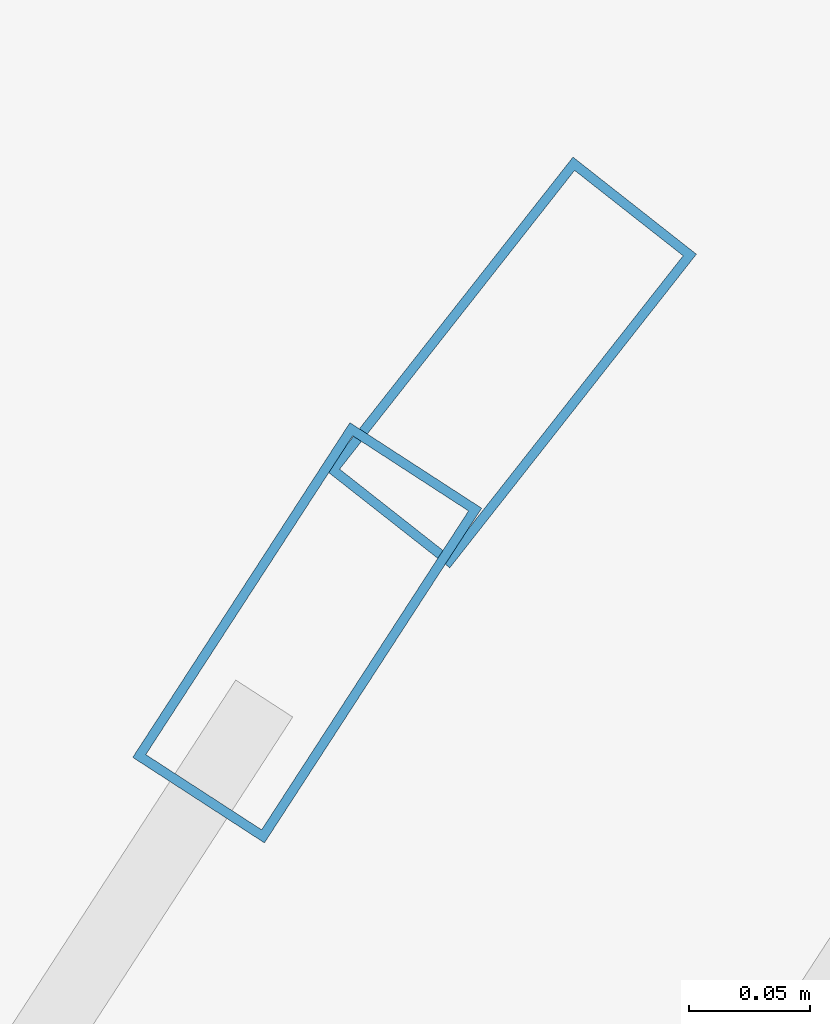
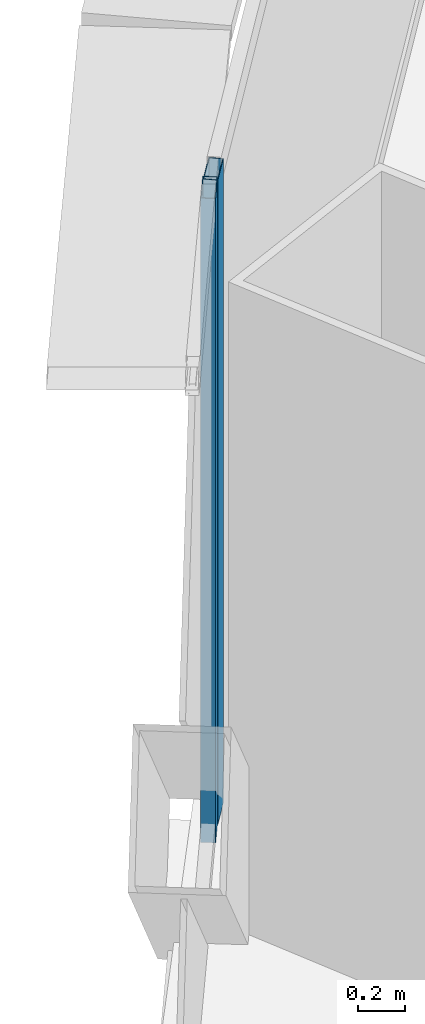
# One storey, part 18 of 41: 2 members, 2 elements without a shape of their own.
"""IFC4 building model written with IfcOpenShell, lengths in metres."""

from ifc_helpers import new_model, si_unit, direction, frame, origin, origin_2d, place, context, subcontext, project, spatial, hollow_rectangle, extrude, source, transform, mapped, material, layer, layer_set, material_profile, profile_set, type_object, element, aggregate, save


model = new_model("IFC4")

# Units and contexts
model_context = context("Model", 3, precision=1e-05, world=origin(), true_north=direction((0.0, 1.0)))
body_context = subcontext(model_context, "Body", "Model", "MODEL_VIEW")
ifc_project = project(units=[si_unit("LENGTHUNIT", "METRE"), si_unit("AREAUNIT", "SQUARE_METRE"), si_unit("VOLUMEUNIT", "CUBIC_METRE"), si_unit("PLANEANGLEUNIT", "RADIAN"), si_unit("MASSUNIT", "GRAM", prefix="KILO"), si_unit("THERMODYNAMICTEMPERATUREUNIT", "KELVIN"), si_unit("POWERUNIT", "WATT")], contexts=[model_context])

# Site, building, storey
site_placement = place(None, origin())
site = spatial("IfcSite", under=ifc_project, at=site_placement, CompositionType="ELEMENT")
building_placement = place(site_placement, origin())
building = spatial("IfcBuilding", under=site, at=building_placement, Name="Yunzhuo Pagoda Commons", CompositionType="ELEMENT")
storey_placement = place(building_placement, frame((0.0, 0.0, 63.070068359375)))
storey = spatial("IfcBuildingStorey", under=building, at=storey_placement, Name="L16", CompositionType="ELEMENT", Elevation=63.070068359375)

# Curtain wall, member
ifc_material = material(Name="Anodized aluminium 6063-T6", Category="aluminium")
ifc_layer = layer(ifc_material, 0.1650390625)
ifc_layer_set = layer_set([ifc_layer], Name="Anodized aluminium 6063-T6")
curtain_wall_type = type_object("IfcCurtainWallType", Name="CW-LOW Low-Zone Ribbon Curtain Wall", PredefinedType="NOTDEFINED", material=ifc_layer_set)
curtain_wall_1_placement = place(storey_placement, origin())
curtain_wall_1 = element("IfcCurtainWall", 1, at=curtain_wall_1_placement, inside=storey, type_object=curtain_wall_type, Name="L16 curtain wall CW-L16-F3B2", PredefinedType="NOTDEFINED")
ifc_material_profile = material_profile(ifc_material, hollow_rectangle(XDim=0.06494140625, YDim=0.1650390625, WallThickness=0.00390625, at=origin_2d()), Name="Anodized aluminium 6063-T6")
ifc_profile_set = profile_set([ifc_material_profile], Name="Anodized aluminium 6063-T6")
member_type = type_object("IfcMemberType", Name="CW-LOW-M Mullion RHS 165x65x4", PredefinedType="MULLION", material=ifc_profile_set)
shared_shape = source(origin(), body_context, "Body", "SweptSolid", [
    extrude(hollow_rectangle(XDim=0.06494140625, YDim=0.1650390625, WallThickness=0.00390625, at=origin_2d()), origin(), (0.0, 0.0, 1.0), 3.369873046875),
])
member_1_placement = place(storey_placement, frame((30.9443359375, 71.9404296875, 0.0), z_axis=(0.0, 0.0, 1.0), x_axis=(0.838840312647, -0.54437756188, 0.0)))
member_1 = element("IfcMember", 2, at=member_1_placement, type_object=member_type, Name="CW mullion 1", PredefinedType="MULLION", context=body_context, shape_type="MappedRepresentation", body=[
    mapped(shared_shape, transform((0.0, 0.0, 0.0), scale=1.0)),
])
aggregate(curtain_wall_1, [member_1])

curtain_wall_2_placement = place(storey_placement, origin())
curtain_wall_2 = element("IfcCurtainWall", 3, at=curtain_wall_2_placement, inside=storey, type_object=curtain_wall_type, Name="L16 curtain wall CW-L16-F3B1", PredefinedType="NOTDEFINED")
member_2_placement = place(storey_placement, frame((31.02880859375, 72.05224609375, 0.0), z_axis=(0.0, 0.0, 1.0), x_axis=(0.78604582322, -0.618168232602, 0.0)))
member_2 = element("IfcMember", 4, at=member_2_placement, type_object=member_type, Name="CW mullion 2", PredefinedType="MULLION", context=body_context, shape_type="MappedRepresentation", body=[
    mapped(shared_shape, transform((0.0, 0.0, 0.0), scale=1.0)),
])
aggregate(curtain_wall_2, [member_2])

save(model, "model.ifc")
